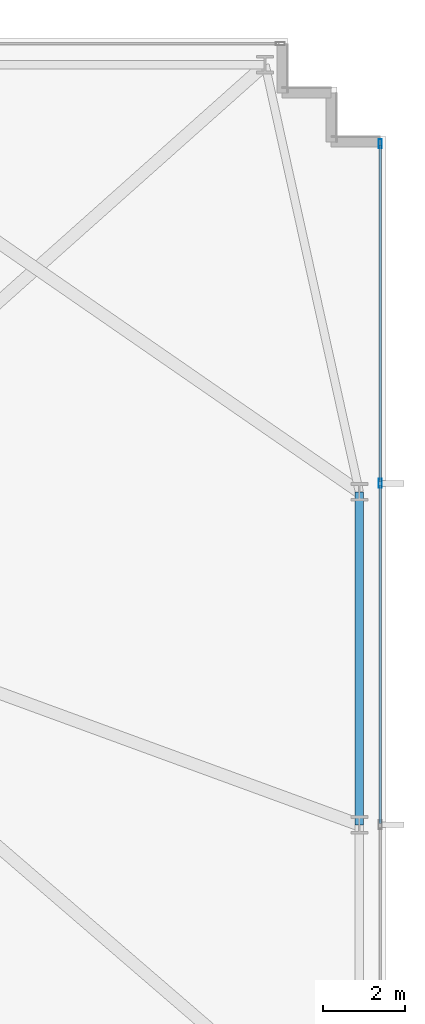
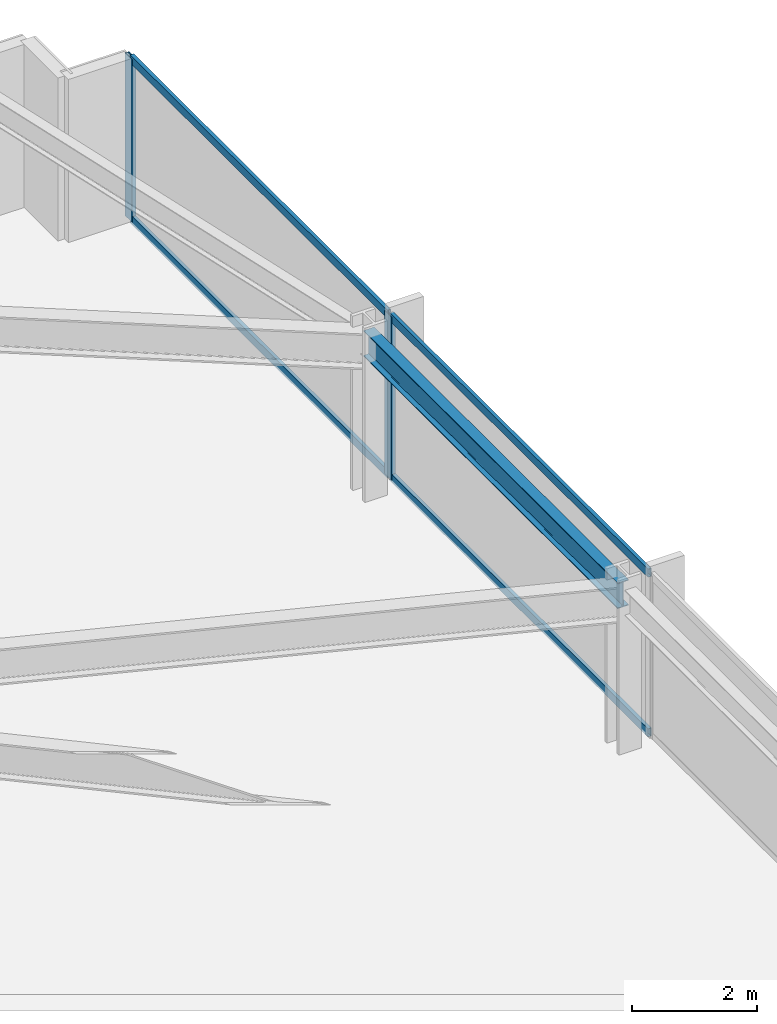
# One storey, part 23 of 32: 6 members, 1 beam, 1 element without a shape of its own.
"""IFC4 building model written with IfcOpenShell, lengths in metres."""

from ifc_helpers import new_model, si_unit, direction, frame, origin, origin_2d, place, context, subcontext, project, spatial, hollow_rectangle, i_section, extrude, material, material_profile, profile_set, type_object, element, aggregate, save


model = new_model("IFC4")

# Units and contexts
model_context = context("Model", 3, precision=1e-05, world=origin(), true_north=direction((0.0, 1.0)))
body_context = subcontext(model_context, "Body", "Model", "MODEL_VIEW")
ifc_project = project(units=[si_unit("LENGTHUNIT", "METRE"), si_unit("AREAUNIT", "SQUARE_METRE"), si_unit("VOLUMEUNIT", "CUBIC_METRE"), si_unit("PLANEANGLEUNIT", "RADIAN"), si_unit("MASSUNIT", "GRAM", prefix="KILO")], contexts=[model_context])

# Site, building, storey
site_placement = place(None, origin())
site = spatial("IfcSite", under=ifc_project, at=site_placement, CompositionType="ELEMENT")
building_placement = place(site_placement, origin())
building = spatial("IfcBuilding", under=site, at=building_placement, Name="Yelkora Congress Tower", CompositionType="ELEMENT")
storey_placement = place(building_placement, frame((0.0, 0.0, 44.0)))
storey = spatial("IfcBuildingStorey", under=building, at=storey_placement, Name="L10", CompositionType="ELEMENT", Elevation=44.0)

# Beam
ifc_material_1 = material(Name="Steel S355J2", Category="steel")
ifc_material_profile_1 = material_profile(ifc_material_1, i_section(OverallWidth=0.199951171875, OverallDepth=0.5, WebThickness=0.01025390625, FlangeThickness=0.01611328125, FilletRadius=0.02099609375, at=origin_2d()), Name="IPE 500")
ifc_profile_set_1 = profile_set([ifc_material_profile_1], Name="Steel S355J2")
beam_type = type_object("IfcBeamType", Name="BM-SPAN-IPE500", PredefinedType="SPANDREL", material=ifc_profile_set_1)
beam_placement = place(storey_placement, frame((70.14990234375, 29.39990234375, 2.929931640625), z_axis=(0.0, 1.0, 0.0), x_axis=(-1.0, 0.0, 0.0)))
element("IfcBeam", 1, at=beam_placement, inside=storey, type_object=beam_type, Name="L10 Perimeter Beam 12", PredefinedType="SPANDREL", context=body_context, shape_type="SweptSolid", body=[
    extrude(i_section(OverallWidth=0.199951171875, OverallDepth=0.5, WebThickness=0.01025390625, FlangeThickness=0.01611328125, FilletRadius=0.02099609375, at=origin_2d()), origin(), (0.0, 0.0, 1.0), 8.125),
])

# Curtain wall, members
ifc_material_2 = material(Name="Anodised aluminium and insulated glass", Category="aluminium")
curtain_wall_type = type_object("IfcCurtainWallType", Name="CW-SYS-B1", PredefinedType="NOTDEFINED", material=ifc_material_2)
curtain_wall_placement = place(storey_placement, origin())
curtain_wall = element("IfcCurtainWall", 2, at=curtain_wall_placement, inside=storey, type_object=curtain_wall_type, Name="L10 Unitised Curtain Wall 15", PredefinedType="NOTDEFINED")
ifc_material_3 = material(Name="Anodised aluminium 6063-T6", Category="aluminium")
ifc_material_profile_2 = material_profile(ifc_material_3, hollow_rectangle(XDim=0.074951171875, YDim=0.219970703125, WallThickness=0.0048828125, at=origin_2d()), Name="ALU 75x220x5")
ifc_profile_set_2 = profile_set([ifc_material_profile_2], Name="Anodised aluminium 6063-T6")
member_type_1 = type_object("IfcMemberType", Name="MEM-ML-B1", PredefinedType="MULLION", material=ifc_profile_set_2)
member_1_placement = place(storey_placement, frame((70.659912109375, 46.0224609375, 0.0), z_axis=(0.0, 0.0, 1.0), x_axis=(1.0, 0.0, 0.0)))
member_1 = element("IfcMember", 3, at=member_1_placement, type_object=member_type_1, Name="CW-B1 mullion 1", PredefinedType="MULLION", context=body_context, shape_type="SweptSolid", body=[
    extrude(hollow_rectangle(XDim=0.074951171875, YDim=0.219970703125, WallThickness=0.0048828125, at=origin_2d()), origin(), (0.0, 0.0, 1.0), 3.179931640625),
])
member_2_placement = place(storey_placement, frame((70.659912109375, 37.72998046875, 0.0), z_axis=(0.0, 0.0, 1.0), x_axis=(1.0, 0.0, 0.0)))
member_2 = element("IfcMember", 4, at=member_2_placement, type_object=member_type_1, Name="CW-B1 mullion 2", PredefinedType="MULLION", context=body_context, shape_type="SweptSolid", body=[
    extrude(hollow_rectangle(XDim=0.074951171875, YDim=0.219970703125, WallThickness=0.0048828125, at=origin_2d()), origin(), (0.0, 0.0, 1.0), 3.179931640625),
])
ifc_material_profile_3 = material_profile(ifc_material_3, hollow_rectangle(XDim=0.06494140625, YDim=0.159912109375, WallThickness=0.00390625, at=origin_2d()), Name="ALU 65x160x4")
ifc_profile_set_3 = profile_set([ifc_material_profile_3], Name="Anodised aluminium 6063-T6")
member_type_2 = type_object("IfcMemberType", Name="MEM-TR-B1", PredefinedType="USERDEFINED", material=ifc_profile_set_3)
member_3_placement = place(storey_placement, frame((70.659912109375, 45.985107421875, 0.032470703125), z_axis=(0.0, -1.0, 0.0), x_axis=(1.0, 0.0, 0.0)))
member_3 = element("IfcMember", 5, at=member_3_placement, type_object=member_type_2, Name="CW-B1 transom 1.1", ObjectType="TRANSOM", PredefinedType="USERDEFINED", context=body_context, shape_type="SweptSolid", body=[
    extrude(hollow_rectangle(XDim=0.06494140625, YDim=0.159912109375, WallThickness=0.00390625, at=origin_2d()), origin(), (0.0, 0.0, 1.0), 8.217529296875),
])
member_4_placement = place(storey_placement, frame((70.659912109375, 45.985107421875, 3.1474609375), z_axis=(0.0, -1.0, 0.0), x_axis=(1.0, 0.0, 0.0)))
member_4 = element("IfcMember", 6, at=member_4_placement, type_object=member_type_2, Name="CW-B1 transom 1.2", ObjectType="TRANSOM", PredefinedType="USERDEFINED", context=body_context, shape_type="SweptSolid", body=[
    extrude(hollow_rectangle(XDim=0.06494140625, YDim=0.159912109375, WallThickness=0.00390625, at=origin_2d()), origin(), (0.0, 0.0, 1.0), 8.217529296875),
])
member_5_placement = place(storey_placement, frame((70.659912109375, 37.6923828125, 0.032470703125), z_axis=(0.0, -1.0, 0.0), x_axis=(1.0, 0.0, 0.0)))
member_5 = element("IfcMember", 7, at=member_5_placement, type_object=member_type_2, Name="CW-B1 transom 2.1", ObjectType="TRANSOM", PredefinedType="USERDEFINED", context=body_context, shape_type="SweptSolid", body=[
    extrude(hollow_rectangle(XDim=0.06494140625, YDim=0.159912109375, WallThickness=0.00390625, at=origin_2d()), origin(), (0.0, 0.0, 1.0), 8.2548828125),
])
member_6_placement = place(storey_placement, frame((70.659912109375, 37.6923828125, 3.1474609375), z_axis=(0.0, -1.0, 0.0), x_axis=(1.0, 0.0, 0.0)))
member_6 = element("IfcMember", 8, at=member_6_placement, type_object=member_type_2, Name="CW-B1 transom 2.2", ObjectType="TRANSOM", PredefinedType="USERDEFINED", context=body_context, shape_type="SweptSolid", body=[
    extrude(hollow_rectangle(XDim=0.06494140625, YDim=0.159912109375, WallThickness=0.00390625, at=origin_2d()), origin(), (0.0, 0.0, 1.0), 8.2548828125),
])
aggregate(curtain_wall, [member_1, member_2, member_3, member_4, member_5, member_6])

save(model, "model.ifc")
